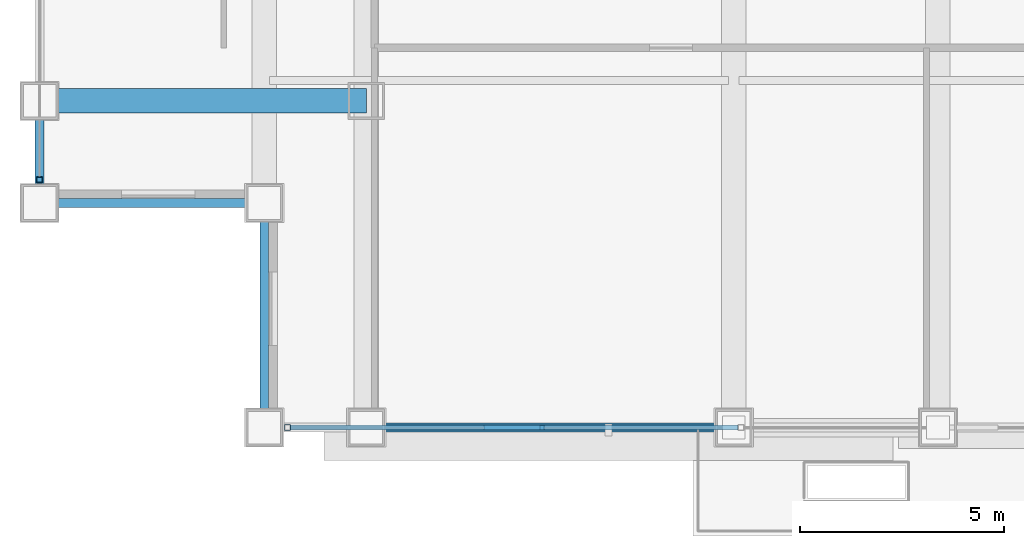
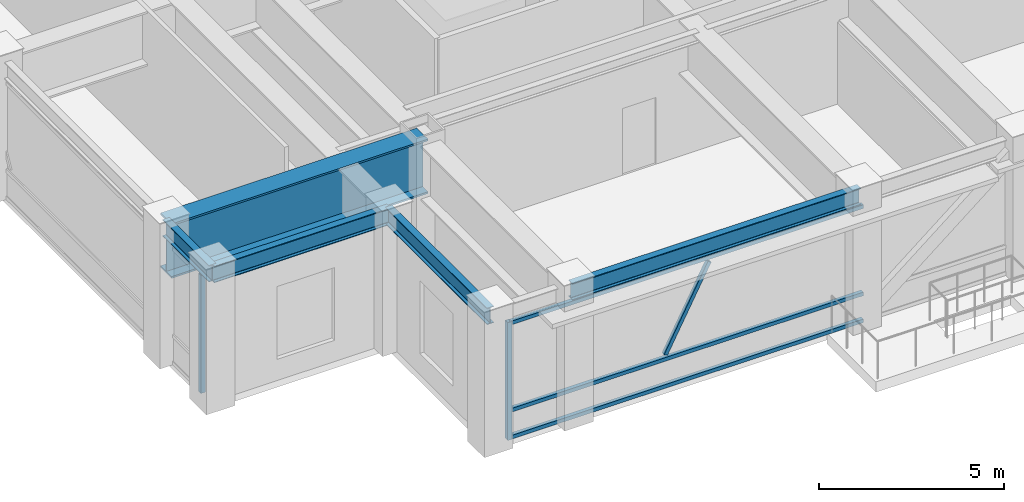
# One storey, part 2 of 31: 6 members, 5 beams, 2 elements without a shape of their own.
"""IFC4 building model written with IfcOpenShell, lengths in metres."""

from ifc_helpers import new_model, si_unit, direction, frame, origin, origin_2d, place, context, subcontext, project, spatial, hollow_rectangle, i_section, extrude, source, transform, mapped, material, material_profile, profile_set, type_object, element, aggregate, save


model = new_model("IFC4")

# Units and contexts
model_context = context("Model", 3, precision=1e-05, world=origin(), true_north=direction((0.0, 1.0)))
body_context = subcontext(model_context, "Body", "Model", "MODEL_VIEW")
ifc_project = project(units=[si_unit("LENGTHUNIT", "METRE"), si_unit("AREAUNIT", "SQUARE_METRE"), si_unit("VOLUMEUNIT", "CUBIC_METRE"), si_unit("PLANEANGLEUNIT", "RADIAN"), si_unit("MASSUNIT", "GRAM", prefix="KILO")], contexts=[model_context])

# Site, building, storey
site_placement = place(None, origin())
site = spatial("IfcSite", under=ifc_project, at=site_placement, CompositionType="ELEMENT")
building_placement = place(site_placement, origin())
building = spatial("IfcBuilding", under=site, at=building_placement, Name="Khorayat Bourse Tower", CompositionType="ELEMENT")
storey_placement = place(building_placement, frame((0.0, 0.0, 321.5)))
storey = spatial("IfcBuildingStorey", under=building, at=storey_placement, Name="L76", CompositionType="ELEMENT", Elevation=321.5)

# Beams
ifc_material_1 = material(Name="Steel EN 10025-4 S460M", Category="steel")
ifc_material_profile_1 = material_profile(ifc_material_1, i_section(OverallWidth=0.60009765625, OverallDepth=1.800048828125, WebThickness=0.031982421875, FlangeThickness=0.06005859375, at=origin_2d()), Name="PG 1800x600x32x60")
ifc_profile_set_1 = profile_set([ifc_material_profile_1], Name="Steel EN 10025-4 S460M")
beam_type_1 = type_object("IfcBeamType", Name="BM-TR-1800", PredefinedType="BEAM", material=ifc_profile_set_1)
shared_shape_1 = source(origin(), body_context, "Body", "SweptSolid", [
    extrude(i_section(OverallWidth=0.60009765625, OverallDepth=1.800048828125, WebThickness=0.031982421875, FlangeThickness=0.06005859375, at=origin_2d()), origin(), (0.0, 0.0, 1.0), 8.0),
])
beam_1_placement = place(storey_placement, frame((-28.0, -20.0, 3.639892578125), z_axis=(1.0, 0.0, 0.0), x_axis=(0.0, 1.0, 0.0)))
element("IfcBeam", 1, at=beam_1_placement, inside=storey, type_object=beam_type_1, Name="L76 BM-TR-1800 BM-L76-CNRX-093", PredefinedType="BEAM", context=body_context, shape_type="MappedRepresentation", body=[
    mapped(shared_shape_1, transform((0.0, 0.0, 0.0), scale=1.0)),
])
ifc_material_2 = material(Name="Steel ASTM A992 Grade 50", Category="steel")
ifc_material_profile_2 = material_profile(ifc_material_2, i_section(OverallWidth=0.214111328125, OverallDepth=0.549072265625, WebThickness=0.0146484375, FlangeThickness=0.023681640625, FilletRadius=0.013916015625, at=origin_2d()), Name="W530X138")
ifc_profile_set_2 = profile_set([ifc_material_profile_2], Name="Steel ASTM A992 Grade 50")
beam_type_2 = type_object("IfcBeamType", Name="BM-SPAN-530", PredefinedType="SPANDREL", material=ifc_profile_set_2)
shared_shape_2 = source(origin(), body_context, "Body", "SweptSolid", [
    extrude(i_section(OverallWidth=0.214111328125, OverallDepth=0.549072265625, WebThickness=0.0146484375, FlangeThickness=0.023681640625, FilletRadius=0.013916015625, at=origin_2d()), origin(), (0.0, 0.0, 1.0), 2.5),
])
beam_2_placement = place(storey_placement, frame((-28.0, -22.5, 4.265380859375), z_axis=(0.0, 1.0, 0.0), x_axis=(-1.0, 0.0, 0.0)))
element("IfcBeam", 2, at=beam_2_placement, inside=storey, type_object=beam_type_2, Name="L76 BM-SPAN-530 BM-L76-SPN-061", PredefinedType="SPANDREL", context=body_context, shape_type="MappedRepresentation", body=[
    mapped(shared_shape_2, transform((0.0, 0.0, 0.0), scale=1.0)),
])
shared_shape_3 = source(origin(), body_context, "Body", "SweptSolid", [
    extrude(i_section(OverallWidth=0.214111328125, OverallDepth=0.549072265625, WebThickness=0.0146484375, FlangeThickness=0.023681640625, FilletRadius=0.013916015625, at=origin_2d()), origin(), (0.0, 0.0, 1.0), 9.0),
])
beam_3_placement = place(storey_placement, frame((-20.0, -28.0, 4.2255859375), z_axis=(1.0, 0.0, 0.0), x_axis=(0.0, 1.0, 0.0)))
element("IfcBeam", 3, at=beam_3_placement, inside=storey, type_object=beam_type_2, Name="L76 BM-SPAN-530 BM-L76-SPN-025", PredefinedType="SPANDREL", context=body_context, shape_type="MappedRepresentation", body=[
    mapped(shared_shape_3, transform((0.0, 0.0, 0.0), scale=1.0)),
])
shared_shape_4 = source(origin(), body_context, "Body", "SweptSolid", [
    extrude(i_section(OverallWidth=0.214111328125, OverallDepth=0.549072265625, WebThickness=0.0146484375, FlangeThickness=0.023681640625, FilletRadius=0.013916015625, at=origin_2d()), origin(), (0.0, 0.0, 1.0), 5.5),
])
for number, where, z_axis, x_axis, name in (
    (4, (-28.0, -22.5, 4.265380859375), (1.0, 0.0, 0.0), (0.0, 1.0, 0.0), "L76 BM-SPAN-530 BM-L76-SPN-062"),
    (5, (-22.5, -28.0, 4.265380859375), (0.0, 1.0, 0.0), (-1.0, 0.0, 0.0), "L76 BM-SPAN-530 BM-L76-SPN-063"),
):
    element("IfcBeam", number, at=place(storey_placement, frame(where, z_axis=z_axis, x_axis=x_axis)), inside=storey, type_object=beam_type_2, Name=name, PredefinedType="SPANDREL", context=body_context, shape_type="MappedRepresentation", body=[
        mapped(shared_shape_4, transform((0.0, 0.0, 0.0), scale=1.0)),
    ])

# Curtain wall, member
ifc_material_3 = material(Name="Aluminium EN AW-6063 T6", Category="aluminium")
curtain_wall_type = type_object("IfcCurtainWallType", Name="CW-SYS-05", PredefinedType="NOTDEFINED", material=ifc_material_3)
curtain_wall_1_placement = place(storey_placement, origin())
curtain_wall_1 = element("IfcCurtainWall", 6, at=curtain_wall_1_placement, inside=storey, type_object=curtain_wall_type, Name="L76 Curtain Wall CW-L76-S1", PredefinedType="NOTDEFINED")
ifc_material_profile_3 = material_profile(ifc_material_3, hollow_rectangle(XDim=0.139892578125, YDim=0.139892578125, WallThickness=0.006103515625, at=origin_2d()), Name="ALU 140x140x6")
ifc_profile_set_3 = profile_set([ifc_material_profile_3], Name="Aluminium EN AW-6063 T6")
member_type_1 = type_object("IfcMemberType", Name="CWM-VERT-140", PredefinedType="MULLION", material=ifc_profile_set_3)
shared_shape_5 = source(origin(), body_context, "Body", "SweptSolid", [
    extrude(hollow_rectangle(XDim=0.139892578125, YDim=0.139892578125, WallThickness=0.006103515625, at=origin_2d()), origin(), (0.0, 0.0, 1.0), 3.889892578125),
])
member_1_placement = place(storey_placement, frame((-21.929931640625, -28.0, 0.0), z_axis=(0.0, 0.0, 1.0), x_axis=(0.0, 1.0, 0.0)))
member_1 = element("IfcMember", 7, at=member_1_placement, type_object=member_type_1, Name="CW-L76-S1 Vertical Mullion 1", PredefinedType="MULLION", context=body_context, shape_type="MappedRepresentation", body=[
    mapped(shared_shape_5, transform((0.0, 0.0, 0.0), scale=1.0)),
])

curtain_wall_2_placement = place(storey_placement, origin())
curtain_wall_2 = element("IfcCurtainWall", 8, at=curtain_wall_2_placement, inside=storey, type_object=curtain_wall_type, Name="L76 Curtain Wall CW-L76-W1", PredefinedType="NOTDEFINED")
member_2_placement = place(storey_placement, frame((-28.0, -21.929931640625, 0.0), z_axis=(0.0, 0.0, 1.0), x_axis=(-1.0, 0.0, 0.0)))
member_2 = element("IfcMember", 9, at=member_2_placement, type_object=member_type_1, Name="CW-L76-W1 Vertical Mullion 1", PredefinedType="MULLION", context=body_context, shape_type="MappedRepresentation", body=[
    mapped(shared_shape_5, transform((0.0, 0.0, 0.0), scale=1.0)),
])
aggregate(curtain_wall_2, [member_2])

# Member
ifc_material_profile_4 = material_profile(ifc_material_3, hollow_rectangle(XDim=0.1201171875, YDim=0.1201171875, WallThickness=0.0048828125, at=origin_2d()), Name="ALU 120x120x5")
ifc_profile_set_4 = profile_set([ifc_material_profile_4], Name="Aluminium EN AW-6063 T6")
member_type_2 = type_object("IfcMemberType", Name="CWT-HORZ-120", PredefinedType="USERDEFINED", material=ifc_profile_set_4)
shared_shape_6 = source(origin(), body_context, "Body", "SweptSolid", [
    extrude(hollow_rectangle(XDim=0.1201171875, YDim=0.1201171875, WallThickness=0.0048828125, at=origin_2d()), origin(), (0.0, 0.0, 1.0), 10.965087890625),
])
member_3_placement = place(storey_placement, frame((-21.860107421875, -28.0, 0.06005859375), z_axis=(1.0, 0.0, 0.0), x_axis=(0.0, 1.0, 0.0)))
member_3 = element("IfcMember", 10, at=member_3_placement, type_object=member_type_2, Name="CW-L76-S1 Horizontal Transom 1-1", ObjectType="TRANSOM", PredefinedType="USERDEFINED", context=body_context, shape_type="MappedRepresentation", body=[
    mapped(shared_shape_6, transform((0.0, 0.0, 0.0), scale=1.0)),
])

member_4_placement = place(storey_placement, frame((-21.860107421875, -28.0, 0.949951171875), z_axis=(1.0, 0.0, 0.0), x_axis=(0.0, 1.0, 0.0)))
member_4 = element("IfcMember", 11, at=member_4_placement, type_object=member_type_2, Name="CW-L76-S1 Horizontal Transom 1-2", ObjectType="TRANSOM", PredefinedType="USERDEFINED", context=body_context, shape_type="MappedRepresentation", body=[
    mapped(shared_shape_6, transform((0.0, 0.0, 0.0), scale=1.0)),
])

member_5_placement = place(storey_placement, frame((-21.860107421875, -28.0, 3.830078125), z_axis=(1.0, 0.0, 0.0), x_axis=(0.0, 1.0, 0.0)))
member_5 = element("IfcMember", 12, at=member_5_placement, type_object=member_type_2, Name="CW-L76-S1 Horizontal Transom 1-3", ObjectType="TRANSOM", PredefinedType="USERDEFINED", context=body_context, shape_type="MappedRepresentation", body=[
    mapped(shared_shape_6, transform((0.0, 0.0, 0.0), scale=1.0)),
])

ifc_material_profile_5 = material_profile(ifc_material_3, hollow_rectangle(XDim=0.1201171875, YDim=0.1201171875, WallThickness=0.0048828125, at=origin_2d()), Name="ALU 120x120x5")
ifc_profile_set_5 = profile_set([ifc_material_profile_5], Name="Aluminium EN AW-6063 T6")
member_type_3 = type_object("IfcMemberType", Name="CWM-DIAG-120", PredefinedType="MULLION", material=ifc_profile_set_5)
shared_shape_7 = source(origin(), body_context, "Body", "SweptSolid", [
    extrude(hollow_rectangle(XDim=0.1201171875, YDim=0.1201171875, WallThickness=0.0048828125, at=origin_2d()), origin(), (0.0, 0.0, 1.0), 2.93798828125),
])
member_6_placement = place(storey_placement, frame((-17.061767578125, -28.0, 1.090087890625), z_axis=(0.465763557035, 0.0, 0.884909209432), x_axis=(0.0, 1.0, 0.0)))
member_6 = element("IfcMember", 13, at=member_6_placement, type_object=member_type_3, Name="CW-L76-S1 Faceted Diagonal Mullion 1", PredefinedType="MULLION", context=body_context, shape_type="MappedRepresentation", body=[
    mapped(shared_shape_7, transform((0.0, 0.0, 0.0), scale=1.0)),
])

aggregate(curtain_wall_1, [member_1, member_3, member_4, member_5, member_6])

save(model, "model.ifc")
